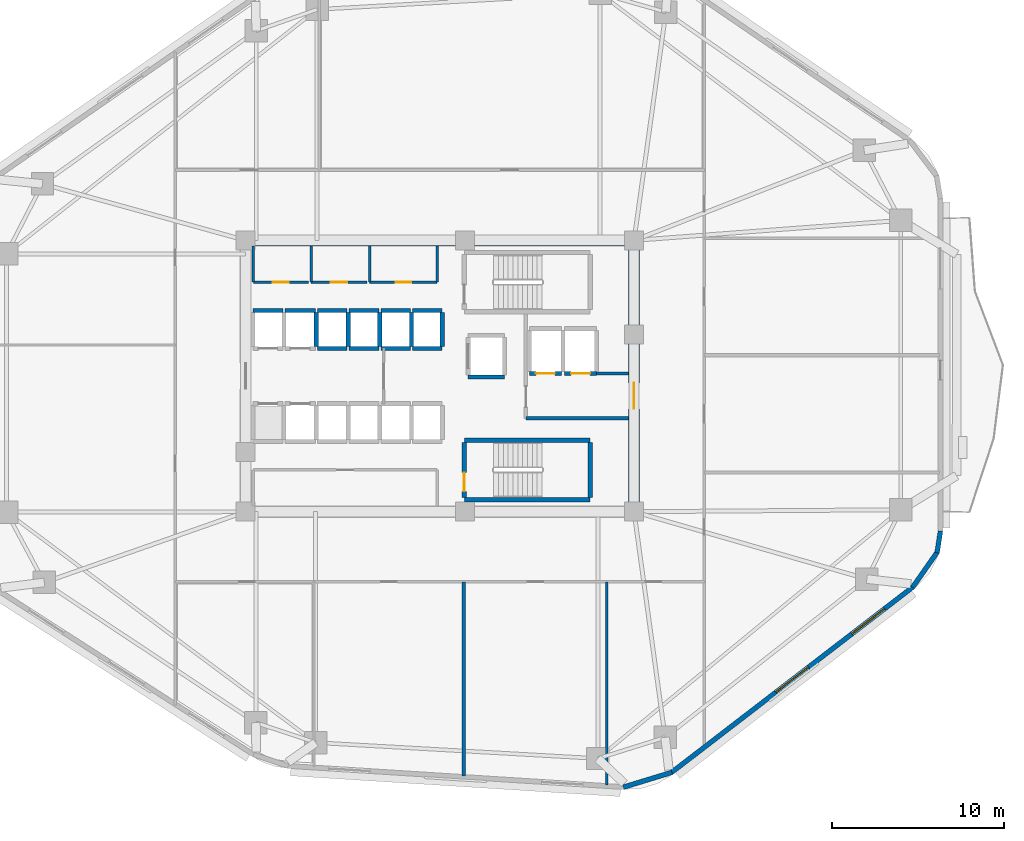
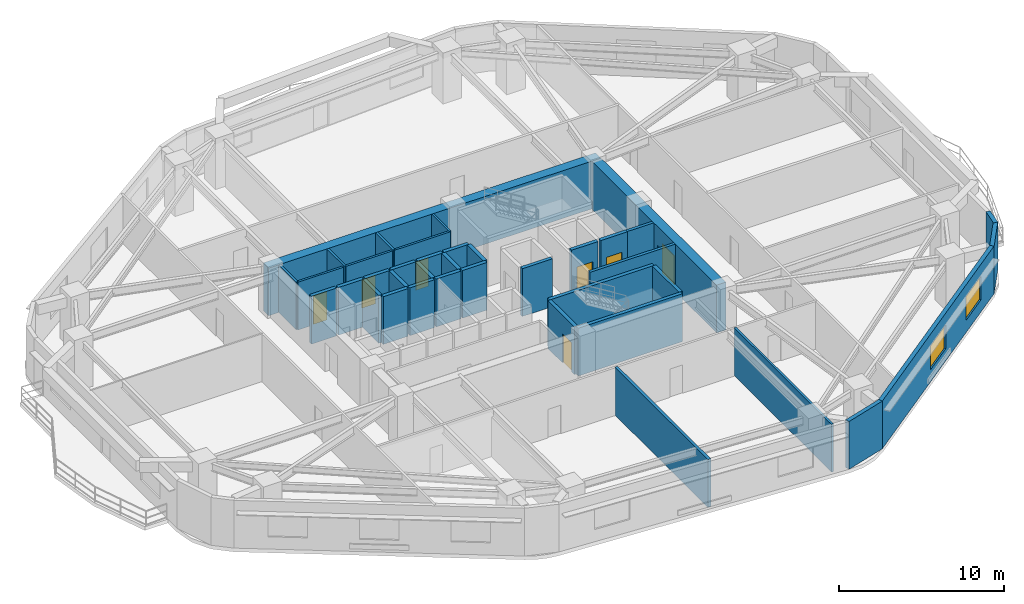
# One storey, part 4 of 10: 39 walls, 7 doors, 2 windows, 9 openings.
"""IFC4 building model written with IfcOpenShell, lengths in metres."""

from ifc_helpers import new_model, si_unit, direction, frame, frame_2d, origin, place, context, subcontext, project, spatial, rectangle, extrude, material, layer, layer_set, type_object, element, fill, save


model = new_model("IFC4")

# Units and contexts
model_context = context("Model", 3, precision=1e-05, world=origin(), true_north=direction((0.0, 1.0)))
body_context = subcontext(model_context, "Body", "Model", "MODEL_VIEW")
ifc_project = project(units=[si_unit("LENGTHUNIT", "METRE"), si_unit("AREAUNIT", "SQUARE_METRE"), si_unit("VOLUMEUNIT", "CUBIC_METRE"), si_unit("PLANEANGLEUNIT", "RADIAN"), si_unit("MASSUNIT", "GRAM", prefix="KILO")], contexts=[model_context])

# Site, building, storey
site_placement = place(None, origin())
site = spatial("IfcSite", under=ifc_project, at=site_placement, CompositionType="ELEMENT")
building_placement = place(site_placement, origin())
building = spatial("IfcBuilding", under=site, at=building_placement, Name="Zulverin Broadcast Headquarters", CompositionType="ELEMENT")
storey_placement = place(building_placement, frame((0.0, 0.0, 66.800048828125)))
storey = spatial("IfcBuildingStorey", under=building, at=storey_placement, Name="L16", CompositionType="ELEMENT", Elevation=66.800048828125)

# Walls
ifc_material_1 = material(Name="Acoustic drywall steel stud", Category="steel")
ifc_layer_1 = layer(ifc_material_1, 0.199951171875, Name="Acoustic drywall steel stud", Category="steel")
ifc_layer_set_1 = layer_set([ifc_layer_1], Name="Acoustic drywall steel stud")
wall_type_1 = type_object("IfcWallType", Name="WL-ACOU-200", PredefinedType="PARTITIONING", material=ifc_layer_set_1)
wall_1_placement = place(storey_placement, frame((38.39990234375, 1.989990234375, 0.0), z_axis=(0.0, 0.0, 1.0), x_axis=(0.0, 1.0, 0.0)))
element("IfcWall", 1, at=wall_1_placement, inside=storey, type_object=wall_type_1, Name="L16 Room Partition Wall RP-03", PredefinedType="PARTITIONING", context=body_context, shape_type="SweptSolid", body=[
    extrude(rectangle(XDim=11.260009765625, YDim=0.199951171875, at=frame_2d((5.6298828125, 0.0))), origin(), (0.0, 0.0, 1.0), 3.52490234375),
])
ifc_material_2 = material(Name="Concrete C60/75", Category="concrete")
ifc_layer_2 = layer(ifc_material_2, 0.64990234375, Name="Concrete C60/75", Category="concrete")
ifc_layer_set_2 = layer_set([ifc_layer_2], Name="Concrete C60/75")
wall_type_2 = type_object("IfcWallType", Name="WL-CORE-650", PredefinedType="SHEAR", material=ifc_layer_set_2)
wall_2_placement = place(storey_placement, frame((25.39990234375, 33.074951171875, 0.0), z_axis=(0.0, 0.0, 1.0), x_axis=(1.0, 0.0, 0.0)))
element("IfcWall", 2, at=wall_2_placement, inside=storey, type_object=wall_type_2, Name="L16 Core North Shear Wall", PredefinedType="SHEAR", context=body_context, shape_type="SweptSolid", body=[
    extrude(rectangle(XDim=23.2001953125, YDim=0.64990234375, at=frame_2d((11.60009765625, 0.0))), origin(), (0.0, 0.0, 1.0), 3.52490234375),
])

# Wall, opening, door
wall_3_placement = place(storey_placement, frame((48.27490234375, 17.64990234375, 0.0), z_axis=(0.0, 0.0, 1.0), x_axis=(0.0, 1.0, 0.0)))
wall_3 = element("IfcWall", 3, at=wall_3_placement, inside=storey, type_object=wall_type_2, Name="L16 Core East Shear Wall", PredefinedType="SHEAR", context=body_context, shape_type="SweptSolid", body=[
    extrude(rectangle(XDim=15.10009765625, YDim=0.64990234375, at=frame_2d((7.550048828125, 0.0))), origin(), (0.0, 0.0, 1.0), 3.52490234375),
])
opening_1_placement = place(wall_3_placement, frame((5.64990234375, 0.0, 0.0)))
opening_1 = element("IfcOpeningElement", 4, at=opening_1_placement, cuts=wall_3, Name="Opening D-L16-CE1", PredefinedType="OPENING", context=body_context, shape_type="SweptSolid", body=[
    extrude(rectangle(XDim=1.5, YDim=2.14990234375, at=frame_2d((0.75, 1.074951171875))), frame((0.0, 0.3349609375, 0.0), z_axis=(0.0, -1.0, 0.0), x_axis=(1.0, 0.0, 0.0)), (0.0, 0.0, 1.0), 0.669921875),
])
ifc_material_3 = material(Name="Fire-rated glazed steel frame", Category="steel")
door_type_1 = type_object("IfcDoorType", Name="DR-COR-1500", OperationType="DOUBLE_DOOR_SINGLE_SWING", PredefinedType="DOOR", material=ifc_material_3)
door_1_placement = place(opening_1_placement, origin())
door_1 = element("IfcDoor", 5, at=door_1_placement, inside=storey, type_object=door_type_1, Name="L16 Firefighting Lobby East Corridor Door", OperationType="DOUBLE_DOOR_SINGLE_SWING", OverallHeight=2.14990234375, OverallWidth=1.5, PredefinedType="DOOR", context=body_context, shape_type="SweptSolid", body=[
    extrude(rectangle(XDim=1.5, YDim=2.14990234375, at=frame_2d((0.75, 1.074951171875))), frame((0.0, 0.02490234375, 0.0), z_axis=(0.0, -1.0, 0.0), x_axis=(1.0, 0.0, 0.0)), (0.0, 0.0, 1.0), 0.050048828125),
])
fill(opening_1, door_1)

# Wall, openings, windows
ifc_material_4 = material(Name="Insulated pale-metal clad concrete spandrel C40/50", Category="concrete")
ifc_layer_3 = layer(ifc_material_4, 0.280029296875, Name="Insulated pale-metal clad concrete spandrel C40/50", Category="concrete")
ifc_layer_set_3 = layer_set([ifc_layer_3], Name="Insulated pale-metal clad concrete spandrel C40/50")
wall_type_3 = type_object("IfcWallType", Name="WL-EXT-280", PredefinedType="STANDARD", material=ifc_layer_set_3)
wall_4_placement = place(storey_placement, frame((50.4287109375, 2.171630859375, 0.0), z_axis=(0.0, 0.0, 1.0), x_axis=(0.792937466367, 0.609303023488, 0.0)))
wall_4 = element("IfcWall", 6, at=wall_4_placement, inside=storey, type_object=wall_type_3, Name="L16 Pale-Metal Clad Spandrel Wall 2", PredefinedType="STANDARD", context=body_context, shape_type="SweptSolid", body=[
    extrude(rectangle(XDim=17.712890625, YDim=0.280029296875, at=frame_2d((8.8564453125, 0.0))), origin(), (0.0, 0.0, 1.0), 3.52490234375),
])
opening_2_placement = place(wall_4_placement, frame((7.656494140625, 0.0, 0.89990234375)))
opening_2 = element("IfcOpeningElement", 7, at=opening_2_placement, cuts=wall_4, Name="Opening W-L16-E21", PredefinedType="OPENING", context=body_context, shape_type="SweptSolid", body=[
    extrude(rectangle(XDim=2.39990234375, YDim=1.75, at=frame_2d((1.199951171875, 0.875))), frame((0.0, 0.14990234375, 0.0), z_axis=(0.0, -1.0, 0.0), x_axis=(1.0, 0.0, 0.0)), (0.0, 0.0, 1.0), 0.300048828125),
])
opening_3_placement = place(wall_4_placement, frame((13.227294921875, 0.0, 0.89990234375)))
opening_3 = element("IfcOpeningElement", 8, at=opening_3_placement, cuts=wall_4, Name="Opening W-L16-E22", PredefinedType="OPENING", context=body_context, shape_type="SweptSolid", body=[
    extrude(rectangle(XDim=2.39990234375, YDim=1.75, at=frame_2d((1.199951171875, 0.875))), frame((0.0, 0.14990234375, 0.0), z_axis=(0.0, -1.0, 0.0), x_axis=(1.0, 0.0, 0.0)), (0.0, 0.0, 1.0), 0.300048828125),
])
ifc_material_5 = material(Name="Pale anodized aluminium frame with solar-control low-E double glazing", Category="aluminium")
window_type = type_object("IfcWindowType", Name="WIN-RIB-2400", PartitioningType="SINGLE_PANEL", PredefinedType="WINDOW", material=ifc_material_5)
window_1_placement = place(opening_2_placement, origin())
window_1 = element("IfcWindow", 9, at=window_1_placement, inside=storey, type_object=window_type, Name="L16 Ribbon Glazing Window 2 1", OverallHeight=1.75, OverallWidth=2.39990234375, PartitioningType="SINGLE_PANEL", PredefinedType="WINDOW", context=body_context, shape_type="SweptSolid", body=[
    extrude(rectangle(XDim=2.39990234375, YDim=1.75, at=frame_2d((1.199951171875, 0.875))), frame((0.0, 0.030029296875, 0.0), z_axis=(0.0, -1.0, 0.0), x_axis=(1.0, 0.0, 0.0)), (0.0, 0.0, 1.0), 0.06005859375),
])
fill(opening_2, window_1)
window_2_placement = place(opening_3_placement, origin())
window_2 = element("IfcWindow", 10, at=window_2_placement, inside=storey, type_object=window_type, Name="L16 Ribbon Glazing Window 2 2", OverallHeight=1.75, OverallWidth=2.39990234375, PartitioningType="SINGLE_PANEL", PredefinedType="WINDOW", context=body_context, shape_type="SweptSolid", body=[
    extrude(rectangle(XDim=2.39990234375, YDim=1.75, at=frame_2d((1.199951171875, 0.875))), frame((0.0, 0.030029296875, 0.0), z_axis=(0.0, -1.0, 0.0), x_axis=(1.0, 0.0, 0.0)), (0.0, 0.0, 1.0), 0.06005859375),
])
fill(opening_3, window_2)

# Walls
wall_5_placement = place(storey_placement, frame((47.649658203125, 1.3330078125, 0.0), z_axis=(0.0, 0.0, 1.0), x_axis=(0.956461287977, 0.291859220516, 0.0)))
element("IfcWall", 11, at=wall_5_placement, inside=storey, type_object=wall_type_3, Name="L16 Wind-Shaped Corner Spandrel Wall 1-1", PredefinedType="STANDARD", context=body_context, shape_type="SweptSolid", body=[
    extrude(rectangle(XDim=2.951904296875, YDim=0.280029296875, at=frame_2d((1.47607421875, 0.0))), origin(), (0.0, 0.0, 1.0), 3.52490234375),
])
wall_6_placement = place(storey_placement, frame((64.4443359375, 12.933349609375, 0.0), z_axis=(0.0, 0.0, 1.0), x_axis=(0.573176686443, 0.819431806875, 0.0)))
element("IfcWall", 12, at=wall_6_placement, inside=storey, type_object=wall_type_3, Name="L16 Wind-Shaped Corner Spandrel Wall 2-1", PredefinedType="STANDARD", context=body_context, shape_type="SweptSolid", body=[
    extrude(rectangle(XDim=2.524169921875, YDim=0.280029296875, at=frame_2d((1.26220703125, 0.0))), origin(), (0.0, 0.0, 1.0), 3.52490234375),
])
wall_7_placement = place(storey_placement, frame((65.867431640625, 14.942626953125, 0.0), z_axis=(0.0, 0.0, 1.0), x_axis=(0.152014078361, 0.988378328364, 0.0)))
element("IfcWall", 13, at=wall_7_placement, inside=storey, type_object=wall_type_3, Name="L16 Wind-Shaped Corner Spandrel Wall 2-2", PredefinedType="STANDARD", context=body_context, shape_type="SweptSolid", body=[
    extrude(rectangle(XDim=1.27685546875, YDim=0.280029296875, at=frame_2d((0.638427734375, 0.0))), origin(), (0.0, 0.0, 1.0), 3.52490234375),
])
ifc_material_6 = material(Name="Concrete C40/50", Category="concrete")
ifc_layer_4 = layer(ifc_material_6, 0.199951171875, Name="Concrete C40/50", Category="concrete")
ifc_layer_set_4 = layer_set([ifc_layer_4], Name="Concrete C40/50")
wall_type_4 = type_object("IfcWallType", Name="WL-FFL-200", PredefinedType="SOLIDWALL", material=ifc_layer_set_4)
wall_8_placement = place(storey_placement, frame((42.0, 22.75, 0.0), z_axis=(0.0, 0.0, 1.0), x_axis=(1.0, 0.0, 0.0)))
element("IfcWall", 14, at=wall_8_placement, inside=storey, type_object=wall_type_4, Name="L16 Firefighting Lift Lobby South Wall", PredefinedType="SOLIDWALL", context=body_context, shape_type="SweptSolid", body=[
    extrude(rectangle(XDim=5.949951171875, YDim=0.199951171875, at=frame_2d((2.97509765625, 0.0))), origin(), (0.0, 0.0, 1.0), 3.52490234375),
])
wall_9_placement = place(storey_placement, frame((46.10009765625, 25.35009765625, 0.0), z_axis=(0.0, 0.0, 1.0), x_axis=(1.0, 0.0, 0.0)))
element("IfcWall", 15, at=wall_9_placement, inside=storey, type_object=wall_type_4, Name="L16 Firefighting Lift Lobby North Wall", PredefinedType="SOLIDWALL", context=body_context, shape_type="SweptSolid", body=[
    extrude(rectangle(XDim=1.849853515625, YDim=0.199951171875, at=frame_2d((0.9248046875, 0.0))), origin(), (0.0, 0.0, 1.0), 3.52490234375),
])

# Wall, opening, door
ifc_material_7 = material(Name="Fire-rated gypsum stud partition", Category="gypsum")
ifc_layer_5 = layer(ifc_material_7, 0.14990234375, Name="Fire-rated gypsum stud partition", Category="gypsum")
ifc_layer_set_5 = layer_set([ifc_layer_5], Name="Fire-rated gypsum stud partition")
wall_type_5 = type_object("IfcWallType", Name="WL-PART-150", PredefinedType="PARTITIONING", material=ifc_layer_set_5)
wall_10_placement = place(storey_placement, frame((26.169921875, 30.64990234375, 0.0), z_axis=(0.0, 0.0, 1.0), x_axis=(1.0, 0.0, 0.0)))
wall_10 = element("IfcWall", 16, at=wall_10_placement, inside=storey, type_object=wall_type_5, Name="L16 Core Accessible WC Front Wall", PredefinedType="PARTITIONING", context=body_context, shape_type="SweptSolid", body=[
    extrude(rectangle(XDim=3.2001953125, YDim=0.14990234375, at=frame_2d((1.60009765625, 0.0))), origin(), (0.0, 0.0, 1.0), 3.52490234375),
])
opening_4_placement = place(wall_10_placement, frame((1.125, 0.0, 0.0)))
opening_4 = element("IfcOpeningElement", 17, at=opening_4_placement, cuts=wall_10, Name="Opening D-L16-NC1", PredefinedType="OPENING", context=body_context, shape_type="SweptSolid", body=[
    extrude(rectangle(XDim=0.949951171875, YDim=2.10009765625, at=frame_2d((0.47509765625, 1.050048828125))), frame((0.0, 0.0849609375, 0.0), z_axis=(0.0, -1.0, 0.0), x_axis=(1.0, 0.0, 0.0)), (0.0, 0.0, 1.0), 0.169921875),
])
ifc_material_8 = material(Name="Fire-rated moisture-resistant laminate leaf", Category="wood")
door_type_2 = type_object("IfcDoorType", Name="DR-WC-950", OperationType="SINGLE_SWING_LEFT", PredefinedType="DOOR", material=ifc_material_8)
door_2_placement = place(opening_4_placement, origin())
door_2 = element("IfcDoor", 18, at=door_2_placement, inside=storey, type_object=door_type_2, Name="L16 Accessible WC Door", OperationType="SINGLE_SWING_LEFT", OverallHeight=2.10009765625, OverallWidth=0.949951171875, PredefinedType="DOOR", context=body_context, shape_type="SweptSolid", body=[
    extrude(rectangle(XDim=0.949951171875, YDim=2.10009765625, at=frame_2d((0.47509765625, 1.050048828125))), frame((0.0, 0.02490234375, 0.0), z_axis=(0.0, -1.0, 0.0), x_axis=(1.0, 0.0, 0.0)), (0.0, 0.0, 1.0), 0.050048828125),
])
fill(opening_4, door_2)

# Wall
wall_11_placement = place(storey_placement, frame((26.169921875, 30.64990234375, 0.0), z_axis=(0.0, 0.0, 1.0), x_axis=(0.0, 1.0, 0.0)))
element("IfcWall", 19, at=wall_11_placement, inside=storey, type_object=wall_type_5, Name="L16 Core Accessible WC West Wall", PredefinedType="PARTITIONING", context=body_context, shape_type="SweptSolid", body=[
    extrude(rectangle(XDim=2.10009765625, YDim=0.14990234375, at=frame_2d((1.050048828125, 0.0))), origin(), (0.0, 0.0, 1.0), 3.52490234375),
])

# Wall, opening, door
wall_12_placement = place(storey_placement, frame((29.530029296875, 30.64990234375, 0.0), z_axis=(0.0, 0.0, 1.0), x_axis=(1.0, 0.0, 0.0)))
wall_12 = element("IfcWall", 20, at=wall_12_placement, inside=storey, type_object=wall_type_5, Name="L16 Core Male WC Front Wall", PredefinedType="PARTITIONING", context=body_context, shape_type="SweptSolid", body=[
    extrude(rectangle(XDim=3.239990234375, YDim=0.14990234375, at=frame_2d((1.6201171875, 0.0))), origin(), (0.0, 0.0, 1.0), 3.52490234375),
])
opening_5_placement = place(wall_12_placement, frame((1.14501953125, 0.0, 0.0)))
opening_5 = element("IfcOpeningElement", 21, at=opening_5_placement, cuts=wall_12, Name="Opening D-L16-NC2", PredefinedType="OPENING", context=body_context, shape_type="SweptSolid", body=[
    extrude(rectangle(XDim=0.949951171875, YDim=2.10009765625, at=frame_2d((0.47509765625, 1.050048828125))), frame((0.0, 0.0849609375, 0.0), z_axis=(0.0, -1.0, 0.0), x_axis=(1.0, 0.0, 0.0)), (0.0, 0.0, 1.0), 0.169921875),
])
door_3_placement = place(opening_5_placement, origin())
door_3 = element("IfcDoor", 22, at=door_3_placement, inside=storey, type_object=door_type_2, Name="L16 Male WC Door", OperationType="SINGLE_SWING_RIGHT", OverallHeight=2.10009765625, OverallWidth=0.949951171875, PredefinedType="DOOR", context=body_context, shape_type="SweptSolid", body=[
    extrude(rectangle(XDim=0.949951171875, YDim=2.10009765625, at=frame_2d((0.47509765625, 1.050048828125))), frame((0.0, 0.02490234375, 0.0), z_axis=(0.0, -1.0, 0.0), x_axis=(1.0, 0.0, 0.0)), (0.0, 0.0, 1.0), 0.050048828125),
])
fill(opening_5, door_3)

# Wall
wall_13_placement = place(storey_placement, frame((29.530029296875, 30.64990234375, 0.0), z_axis=(0.0, 0.0, 1.0), x_axis=(0.0, 1.0, 0.0)))
element("IfcWall", 23, at=wall_13_placement, inside=storey, type_object=wall_type_5, Name="L16 Core Male WC West Wall", PredefinedType="PARTITIONING", context=body_context, shape_type="SweptSolid", body=[
    extrude(rectangle(XDim=2.10009765625, YDim=0.14990234375, at=frame_2d((1.050048828125, 0.0))), origin(), (0.0, 0.0, 1.0), 3.52490234375),
])

# Wall, opening, door
wall_14_placement = place(storey_placement, frame((32.929931640625, 30.64990234375, 0.0), z_axis=(0.0, 0.0, 1.0), x_axis=(1.0, 0.0, 0.0)))
wall_14 = element("IfcWall", 24, at=wall_14_placement, inside=storey, type_object=wall_type_5, Name="L16 Core Electrical Switch Riser Front Wall", PredefinedType="PARTITIONING", context=body_context, shape_type="SweptSolid", body=[
    extrude(rectangle(XDim=3.920166015625, YDim=0.14990234375, at=frame_2d((1.9599609375, 0.0))), origin(), (0.0, 0.0, 1.0), 3.52490234375),
])
opening_6_placement = place(wall_14_placement, frame((1.510009765625, 0.0, 0.0)))
opening_6 = element("IfcOpeningElement", 25, at=opening_6_placement, cuts=wall_14, Name="Opening D-L16-NC3", PredefinedType="OPENING", context=body_context, shape_type="SweptSolid", body=[
    extrude(rectangle(XDim=0.89990234375, YDim=2.10009765625, at=frame_2d((0.449951171875, 1.050048828125))), frame((0.0, 0.0849609375, 0.0), z_axis=(0.0, -1.0, 0.0), x_axis=(1.0, 0.0, 0.0)), (0.0, 0.0, 1.0), 0.169921875),
])
ifc_material_9 = material(Name="Powder-coated steel access leaf", Category="steel")
door_type_3 = type_object("IfcDoorType", Name="DR-RISER-900", OperationType="SINGLE_SWING_LEFT", PredefinedType="DOOR", material=ifc_material_9)
door_4_placement = place(opening_6_placement, origin())
door_4 = element("IfcDoor", 26, at=door_4_placement, inside=storey, type_object=door_type_3, Name="L16 Electrical Switch Riser Door", OperationType="SINGLE_SWING_LEFT", OverallHeight=2.10009765625, OverallWidth=0.89990234375, PredefinedType="DOOR", context=body_context, shape_type="SweptSolid", body=[
    extrude(rectangle(XDim=0.89990234375, YDim=2.10009765625, at=frame_2d((0.449951171875, 1.050048828125))), frame((0.0, 0.02490234375, 0.0), z_axis=(0.0, -1.0, 0.0), x_axis=(1.0, 0.0, 0.0)), (0.0, 0.0, 1.0), 0.050048828125),
])
fill(opening_6, door_4)

# Walls
for number, where, z_axis, x_axis, name in (
    (27, (32.929931640625, 30.64990234375, 0.0), (0.0, 0.0, 1.0), (0.0, 1.0, 0.0), "L16 Core Electrical Switch Riser West Wall"),
    (28, (36.85009765625, 30.64990234375, 0.0), (0.0, 0.0, 1.0), (0.0, 1.0, 0.0), "L16 Core Electrical Switch Riser East Wall"),
):
    element("IfcWall", number, at=place(storey_placement, frame(where, z_axis=z_axis, x_axis=x_axis)), inside=storey, type_object=wall_type_5, Name=name, PredefinedType="PARTITIONING", context=body_context, shape_type="SweptSolid", body=[
        extrude(rectangle(XDim=2.10009765625, YDim=0.14990234375, at=frame_2d((1.050048828125, 0.0))), origin(), (0.0, 0.0, 1.0), 3.52490234375),
    ])
wall_15_placement = place(storey_placement, frame((46.699951171875, 1.466796875, 0.0), z_axis=(0.0, 0.0, 1.0), x_axis=(0.0, 1.0, 0.0)))
element("IfcWall", 29, at=wall_15_placement, inside=storey, type_object=wall_type_5, Name="L16 Room Partition Wall RP-02", PredefinedType="PARTITIONING", context=body_context, shape_type="SweptSolid", body=[
    extrude(rectangle(XDim=11.783203125, YDim=0.14990234375, at=frame_2d((5.8916015625, 0.0))), origin(), (0.0, 0.0, 1.0), 3.52490234375),
])
ifc_material_10 = material(Name="Concrete C50/60", Category="concrete")
ifc_layer_6 = layer(ifc_material_10, 0.25, Name="Concrete C50/60", Category="concrete")
ifc_layer_set_6 = layer_set([ifc_layer_6], Name="Concrete C50/60")
wall_type_6 = type_object("IfcWallType", Name="WL-SHAFT-250", PredefinedType="SHEAR", material=ifc_layer_set_6)
for number, where, z_axis, x_axis, name in (
    (30, (38.425048828125, 18.02490234375, 0.0), (0.0, 0.0, 1.0), (1.0, 0.0, 0.0), "L16 ST-2 Enclosure Wall S"),
    (31, (38.425048828125, 21.47509765625, 0.0), (0.0, 0.0, 1.0), (1.0, 0.0, 0.0), "L16 ST-2 Enclosure Wall N"),
):
    element("IfcWall", number, at=place(storey_placement, frame(where, z_axis=z_axis, x_axis=x_axis)), inside=storey, type_object=wall_type_6, Name=name, PredefinedType="SHEAR", context=body_context, shape_type="SweptSolid", body=[
        extrude(rectangle(XDim=7.300048828125, YDim=0.25, at=frame_2d((3.64990234375, 0.0))), origin(), (0.0, 0.0, 1.0), 3.52490234375),
    ])

# Wall, opening, door
wall_16_placement = place(storey_placement, frame((38.425048828125, 18.14990234375, 0.0), z_axis=(0.0, 0.0, 1.0), x_axis=(0.0, 1.0, 0.0)))
wall_16 = element("IfcWall", 32, at=wall_16_placement, inside=storey, type_object=wall_type_6, Name="L16 ST-2 Enclosure Wall W", PredefinedType="SHEAR", context=body_context, shape_type="SweptSolid", body=[
    extrude(rectangle(XDim=3.2001953125, YDim=0.25, at=frame_2d((1.60009765625, 0.0))), origin(), (0.0, 0.0, 1.0), 3.52490234375),
])
opening_7_placement = place(wall_16_placement, frame((0.35009765625, 0.0, 0.0)))
opening_7 = element("IfcOpeningElement", 33, at=opening_7_placement, cuts=wall_16, Name="Opening D-L16-ST-2", PredefinedType="OPENING", context=body_context, shape_type="SweptSolid", body=[
    extrude(rectangle(XDim=1.10009765625, YDim=2.14990234375, at=frame_2d((0.550048828125, 1.074951171875))), frame((0.0, 0.135009765625, 0.0), z_axis=(0.0, -1.0, 0.0), x_axis=(1.0, 0.0, 0.0)), (0.0, 0.0, 1.0), 0.27001953125),
])
ifc_material_11 = material(Name="Fire-rated steel leaf and frame", Category="steel")
door_type_4 = type_object("IfcDoorType", Name="DR-STAIR-1100", OperationType="SINGLE_SWING_LEFT", PredefinedType="DOOR", material=ifc_material_11)
door_5_placement = place(opening_7_placement, origin())
door_5 = element("IfcDoor", 34, at=door_5_placement, inside=storey, type_object=door_type_4, Name="L16 Exit Stair ST-2 Fire Door", OperationType="SINGLE_SWING_RIGHT", OverallHeight=2.14990234375, OverallWidth=1.10009765625, PredefinedType="DOOR", context=body_context, shape_type="SweptSolid", body=[
    extrude(rectangle(XDim=1.10009765625, YDim=2.14990234375, at=frame_2d((0.550048828125, 1.074951171875))), frame((0.0, 0.02490234375, 0.0), z_axis=(0.0, -1.0, 0.0), x_axis=(1.0, 0.0, 0.0)), (0.0, 0.0, 1.0), 0.050048828125),
])
fill(opening_7, door_5)

# Walls
wall_17_placement = place(storey_placement, frame((45.72509765625, 18.14990234375, 0.0), z_axis=(0.0, 0.0, 1.0), x_axis=(0.0, 1.0, 0.0)))
element("IfcWall", 35, at=wall_17_placement, inside=storey, type_object=wall_type_6, Name="L16 ST-2 Enclosure Wall E", PredefinedType="SHEAR", context=body_context, shape_type="SweptSolid", body=[
    extrude(rectangle(XDim=3.2001953125, YDim=0.25, at=frame_2d((1.60009765625, 0.0))), origin(), (0.0, 0.0, 1.0), 3.52490234375),
])
for number, where, z_axis, x_axis, name in (
    (36, (26.14990234375, 29.0, 0.0), (0.0, 0.0, 1.0), (1.0, 0.0, 0.0), "L16 Lift PL-L1 Shaft Wall N"),
    (37, (28.02001953125, 29.0, 0.0), (0.0, 0.0, 1.0), (1.0, 0.0, 0.0), "L16 Lift PL-L2 Shaft Wall N"),
):
    element("IfcWall", number, at=place(storey_placement, frame(where, z_axis=z_axis, x_axis=x_axis)), inside=storey, type_object=wall_type_6, Name=name, PredefinedType="SHEAR", context=body_context, shape_type="SweptSolid", body=[
        extrude(rectangle(XDim=1.75, YDim=0.25, at=frame_2d((0.875, 0.0))), origin(), (0.0, 0.0, 1.0), 3.52490234375),
    ])
wall_18_placement = place(storey_placement, frame((29.8349609375, 26.919921875, 0.0), z_axis=(0.0, 0.0, 1.0), x_axis=(0.0, 1.0, 0.0)))
element("IfcWall", 38, at=wall_18_placement, inside=storey, type_object=wall_type_6, Name="L16 Lift PL-L2 Shaft Wall E", PredefinedType="SHEAR", context=body_context, shape_type="SweptSolid", body=[
    extrude(rectangle(XDim=1.9599609375, YDim=0.25, at=frame_2d((0.97998046875, 0.0))), origin(), (0.0, 0.0, 1.0), 3.52490234375),
])
for number, where, z_axis, x_axis, name in (
    (39, (29.89990234375, 26.800048828125, 0.0), (0.0, 0.0, 1.0), (1.0, 0.0, 0.0), "L16 Lift PL-H1 Shaft Wall S"),
    (40, (29.89990234375, 29.0, 0.0), (0.0, 0.0, 1.0), (1.0, 0.0, 0.0), "L16 Lift PL-H1 Shaft Wall N"),
):
    element("IfcWall", number, at=place(storey_placement, frame(where, z_axis=z_axis, x_axis=x_axis)), inside=storey, type_object=wall_type_6, Name=name, PredefinedType="SHEAR", context=body_context, shape_type="SweptSolid", body=[
        extrude(rectangle(XDim=1.72021484375, YDim=0.25, at=frame_2d((0.860107421875, 0.0))), origin(), (0.0, 0.0, 1.0), 3.52490234375),
    ])
wall_19_placement = place(storey_placement, frame((31.679931640625, 26.919921875, 0.0), z_axis=(0.0, 0.0, 1.0), x_axis=(0.0, 1.0, 0.0)))
element("IfcWall", 41, at=wall_19_placement, inside=storey, type_object=wall_type_6, Name="L16 Lift PL-H1 Shaft Wall E", PredefinedType="SHEAR", context=body_context, shape_type="SweptSolid", body=[
    extrude(rectangle(XDim=1.9599609375, YDim=0.25, at=frame_2d((0.97998046875, 0.0))), origin(), (0.0, 0.0, 1.0), 3.52490234375),
])
for number, where, z_axis, x_axis, name in (
    (42, (31.739990234375, 26.800048828125, 0.0), (0.0, 0.0, 1.0), (1.0, 0.0, 0.0), "L16 Lift PL-H2 Shaft Wall S"),
    (43, (31.739990234375, 29.0, 0.0), (0.0, 0.0, 1.0), (1.0, 0.0, 0.0), "L16 Lift PL-H2 Shaft Wall N"),
):
    element("IfcWall", number, at=place(storey_placement, frame(where, z_axis=z_axis, x_axis=x_axis)), inside=storey, type_object=wall_type_6, Name=name, PredefinedType="SHEAR", context=body_context, shape_type="SweptSolid", body=[
        extrude(rectangle(XDim=1.719970703125, YDim=0.25, at=frame_2d((0.85986328125, 0.0))), origin(), (0.0, 0.0, 1.0), 3.52490234375),
    ])
wall_20_placement = place(storey_placement, frame((33.52001953125, 26.919921875, 0.0), z_axis=(0.0, 0.0, 1.0), x_axis=(0.0, 1.0, 0.0)))
element("IfcWall", 44, at=wall_20_placement, inside=storey, type_object=wall_type_6, Name="L16 Lift PL-H2 Shaft Wall E", PredefinedType="SHEAR", context=body_context, shape_type="SweptSolid", body=[
    extrude(rectangle(XDim=1.9599609375, YDim=0.25, at=frame_2d((0.97998046875, 0.0))), origin(), (0.0, 0.0, 1.0), 3.52490234375),
])
for number, where, z_axis, x_axis, name in (
    (45, (33.580078125, 26.800048828125, 0.0), (0.0, 0.0, 1.0), (1.0, 0.0, 0.0), "L16 Lift PL-H3 Shaft Wall S"),
    (46, (33.580078125, 29.0, 0.0), (0.0, 0.0, 1.0), (1.0, 0.0, 0.0), "L16 Lift PL-H3 Shaft Wall N"),
):
    element("IfcWall", number, at=place(storey_placement, frame(where, z_axis=z_axis, x_axis=x_axis)), inside=storey, type_object=wall_type_6, Name=name, PredefinedType="SHEAR", context=body_context, shape_type="SweptSolid", body=[
        extrude(rectangle(XDim=1.719970703125, YDim=0.25, at=frame_2d((0.85986328125, 0.0))), origin(), (0.0, 0.0, 1.0), 3.52490234375),
    ])
wall_21_placement = place(storey_placement, frame((35.360107421875, 26.919921875, 0.0), z_axis=(0.0, 0.0, 1.0), x_axis=(0.0, 1.0, 0.0)))
element("IfcWall", 47, at=wall_21_placement, inside=storey, type_object=wall_type_6, Name="L16 Lift PL-H3 Shaft Wall E", PredefinedType="SHEAR", context=body_context, shape_type="SweptSolid", body=[
    extrude(rectangle(XDim=1.9599609375, YDim=0.25, at=frame_2d((0.97998046875, 0.0))), origin(), (0.0, 0.0, 1.0), 3.52490234375),
])
for number, where, z_axis, x_axis, name in (
    (48, (35.419921875, 26.800048828125, 0.0), (0.0, 0.0, 1.0), (1.0, 0.0, 0.0), "L16 Lift PL-H4 Shaft Wall S"),
    (49, (35.419921875, 29.0, 0.0), (0.0, 0.0, 1.0), (1.0, 0.0, 0.0), "L16 Lift PL-H4 Shaft Wall N"),
):
    element("IfcWall", number, at=place(storey_placement, frame(where, z_axis=z_axis, x_axis=x_axis)), inside=storey, type_object=wall_type_6, Name=name, PredefinedType="SHEAR", context=body_context, shape_type="SweptSolid", body=[
        extrude(rectangle(XDim=1.719970703125, YDim=0.25, at=frame_2d((0.85986328125, 0.0))), origin(), (0.0, 0.0, 1.0), 3.52490234375),
    ])
wall_22_placement = place(storey_placement, frame((37.139892578125, 26.919921875, 0.0), z_axis=(0.0, 0.0, 1.0), x_axis=(0.0, 1.0, 0.0)))
element("IfcWall", 50, at=wall_22_placement, inside=storey, type_object=wall_type_6, Name="L16 Lift PL-H4 Shaft Wall E", PredefinedType="SHEAR", context=body_context, shape_type="SweptSolid", body=[
    extrude(rectangle(XDim=1.9599609375, YDim=0.25, at=frame_2d((0.97998046875, 0.0))), origin(), (0.0, 0.0, 1.0), 3.52490234375),
])

# Wall, opening, door
wall_23_placement = place(storey_placement, frame((42.199951171875, 25.35009765625, 0.0), z_axis=(0.0, 0.0, 1.0), x_axis=(1.0, 0.0, 0.0)))
wall_23 = element("IfcWall", 51, at=wall_23_placement, inside=storey, type_object=wall_type_6, Name="L16 Lift FFL-1 Shaft Wall S", PredefinedType="SHEAR", context=body_context, shape_type="SweptSolid", body=[
    extrude(rectangle(XDim=1.85009765625, YDim=0.25, at=frame_2d((0.925048828125, 0.0))), origin(), (0.0, 0.0, 1.0), 3.52490234375),
])
opening_8_placement = place(wall_23_placement, frame((0.375, 0.0, 0.0)))
opening_8 = element("IfcOpeningElement", 52, at=opening_8_placement, cuts=wall_23, Name="Opening LD-FFL-1-L16", PredefinedType="OPENING", context=body_context, shape_type="SweptSolid", body=[
    extrude(rectangle(XDim=1.10009765625, YDim=2.14990234375, at=frame_2d((0.550048828125, 1.074951171875))), frame((0.0, 0.135009765625, 0.0), z_axis=(0.0, -1.0, 0.0), x_axis=(1.0, 0.0, 0.0)), (0.0, 0.0, 1.0), 0.27001953125),
])
ifc_material_12 = material(Name="Fire-rated stainless landing door", Category="steel")
door_type_5 = type_object("IfcDoorType", Name="LD-FFL-1100", OperationType="DOUBLE_DOOR_SLIDING", PredefinedType="DOOR", material=ifc_material_12)
door_6_placement = place(opening_8_placement, origin())
door_6 = element("IfcDoor", 53, at=door_6_placement, inside=storey, type_object=door_type_5, Name="L16 Lift FFL-1 Sliding Landing Door", OperationType="DOUBLE_DOOR_SLIDING", OverallHeight=2.14990234375, OverallWidth=1.10009765625, PredefinedType="DOOR", context=body_context, shape_type="SweptSolid", body=[
    extrude(rectangle(XDim=1.10009765625, YDim=2.14990234375, at=frame_2d((0.550048828125, 1.074951171875))), frame((0.0, 0.02490234375, 0.0), z_axis=(0.0, -1.0, 0.0), x_axis=(1.0, 0.0, 0.0)), (0.0, 0.0, 1.0), 0.050048828125),
])
fill(opening_8, door_6)

wall_24_placement = place(storey_placement, frame((44.25, 25.35009765625, 0.0), z_axis=(0.0, 0.0, 1.0), x_axis=(1.0, 0.0, 0.0)))
wall_24 = element("IfcWall", 54, at=wall_24_placement, inside=storey, type_object=wall_type_6, Name="L16 Lift FFL-2 Shaft Wall S", PredefinedType="SHEAR", context=body_context, shape_type="SweptSolid", body=[
    extrude(rectangle(XDim=1.85009765625, YDim=0.25, at=frame_2d((0.925048828125, 0.0))), origin(), (0.0, 0.0, 1.0), 3.52490234375),
])
opening_9_placement = place(wall_24_placement, frame((0.375, 0.0, 0.0)))
opening_9 = element("IfcOpeningElement", 55, at=opening_9_placement, cuts=wall_24, Name="Opening LD-FFL-2-L16", PredefinedType="OPENING", context=body_context, shape_type="SweptSolid", body=[
    extrude(rectangle(XDim=1.10009765625, YDim=2.14990234375, at=frame_2d((0.550048828125, 1.074951171875))), frame((0.0, 0.135009765625, 0.0), z_axis=(0.0, -1.0, 0.0), x_axis=(1.0, 0.0, 0.0)), (0.0, 0.0, 1.0), 0.27001953125),
])
door_7_placement = place(opening_9_placement, origin())
door_7 = element("IfcDoor", 56, at=door_7_placement, inside=storey, type_object=door_type_5, Name="L16 Lift FFL-2 Sliding Landing Door", OperationType="DOUBLE_DOOR_SLIDING", OverallHeight=2.14990234375, OverallWidth=1.10009765625, PredefinedType="DOOR", context=body_context, shape_type="SweptSolid", body=[
    extrude(rectangle(XDim=1.10009765625, YDim=2.14990234375, at=frame_2d((0.550048828125, 1.074951171875))), frame((0.0, 0.02490234375, 0.0), z_axis=(0.0, -1.0, 0.0), x_axis=(1.0, 0.0, 0.0)), (0.0, 0.0, 1.0), 0.050048828125),
])
fill(opening_9, door_7)

# Wall
wall_25_placement = place(storey_placement, frame((38.64990234375, 25.14990234375, 0.0), z_axis=(0.0, 0.0, 1.0), x_axis=(1.0, 0.0, 0.0)))
element("IfcWall", 57, at=wall_25_placement, inside=storey, type_object=wall_type_6, Name="L16 Lift SVL-1 Shaft Wall S", PredefinedType="SHEAR", context=body_context, shape_type="SweptSolid", body=[
    extrude(rectangle(XDim=2.10009765625, YDim=0.25, at=frame_2d((1.050048828125, 0.0))), origin(), (0.0, 0.0, 1.0), 3.52490234375),
])

save(model, "model.ifc")
